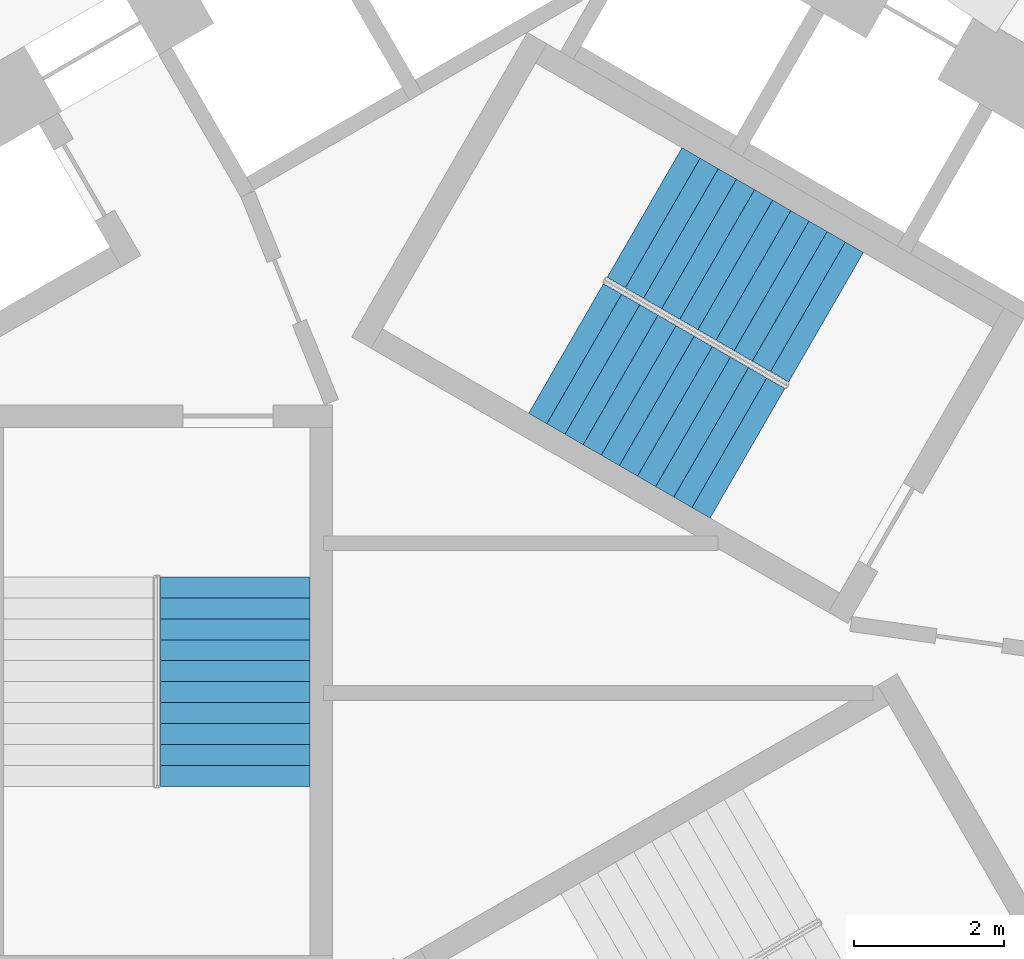
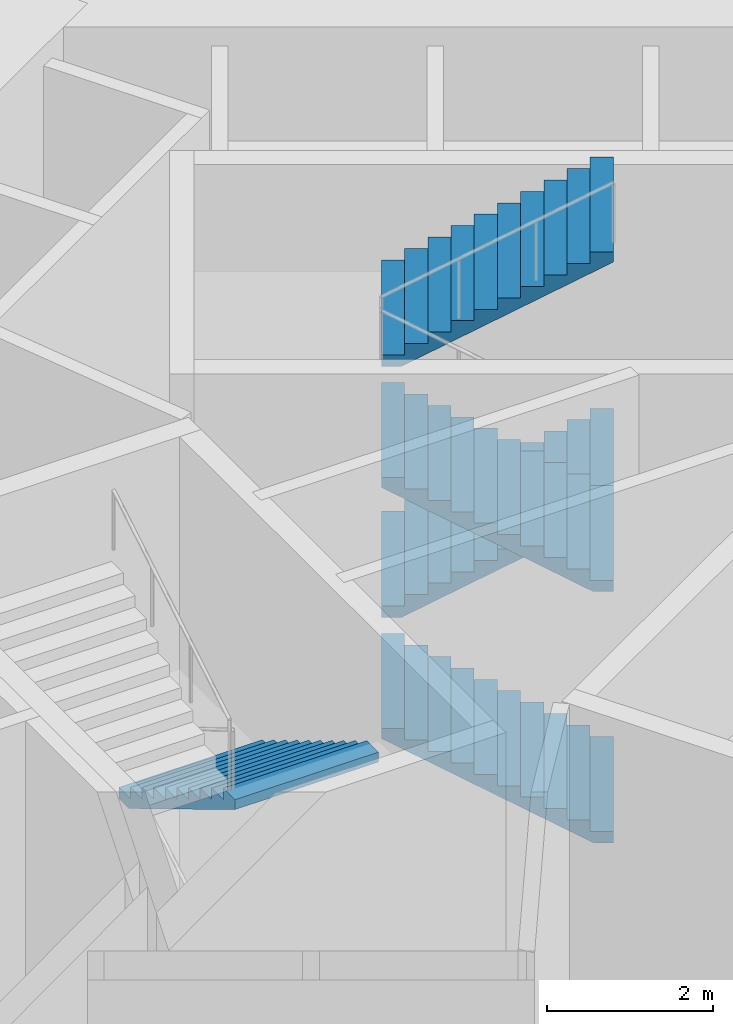
# One storey, part 14 of 19: 5 stair flights, 2 elements without a shape of their own.
"""IFC4 building model written with IfcOpenShell, lengths in metres."""

from ifc_helpers import new_model, si_unit, direction, frame, origin, place, context, subcontext, project, spatial, triangles, source, transform, mapped, material, type_object, element, aggregate, save


model = new_model("IFC4")

# Units and contexts
model_context = context("Model", 3, precision=1e-05, world=origin(), true_north=direction((0.0, 1.0)))
body_context = subcontext(model_context, "Body", "Model", "MODEL_VIEW")
ifc_project = project(units=[si_unit("LENGTHUNIT", "METRE"), si_unit("AREAUNIT", "SQUARE_METRE"), si_unit("VOLUMEUNIT", "CUBIC_METRE"), si_unit("PLANEANGLEUNIT", "RADIAN"), si_unit("MASSUNIT", "GRAM", prefix="KILO")], contexts=[model_context])

# Site, building, storey
site_placement = place(None, origin())
site = spatial("IfcSite", under=ifc_project, at=site_placement, CompositionType="ELEMENT")
building_placement = place(site_placement, origin())
building = spatial("IfcBuilding", under=site, at=building_placement, Name="Vanh Sen Convention Tower", CompositionType="ELEMENT")
storey_placement = place(building_placement, frame((0.0, 0.0, 139.199951171875)))
storey = spatial("IfcBuildingStorey", under=building, at=storey_placement, Name="L34", CompositionType="ELEMENT", Elevation=139.199951171875)

# Stair, stair flights
ifc_material_1 = material(Name="Concrete C50/60", Category="concrete")
stair_type_1 = type_object("IfcStairType", Name="Exit stair ST1 44 risers at 168.2", PredefinedType="HALF_TURN_STAIR", material=ifc_material_1)
stair_1_placement = place(storey_placement, origin())
stair_1 = element("IfcStair", 1, at=stair_1_placement, inside=storey, type_object=stair_type_1, Name="Exit stair ST1 L34", PredefinedType="HALF_TURN_STAIR")
ifc_material_2 = material(Name="Concrete C40/50", Category="concrete")
stair_flight_type = type_object("IfcStairFlightType", Name="Stair flight 2000", PredefinedType="STRAIGHT", material=ifc_material_2)
shared_shape = source(origin(), body_context, "Body", "Tessellation", [
    triangles([(0.24267578125, 1.0, 0.0), (0.0, 1.0, 0.0), (0.0, 1.0, 0.168212890625), (0.280029296875, 1.0, 0.168212890625), (0.280029296875, 1.0, 0.33642578125), (0.56005859375, 1.0, 0.33642578125), (0.56005859375, 1.0, 0.504638671875), (0.840087890625, 1.0, 0.504638671875), (0.840087890625, 1.0, 0.672607421875), (1.1201171875, 1.0, 0.672607421875), (1.1201171875, 1.0, 0.8408203125), (1.39990234375, 1.0, 0.8408203125), (1.39990234375, 1.0, 1.009033203125), (1.679931640625, 1.0, 1.009033203125), (1.679931640625, 1.0, 1.17724609375), (1.9599609375, 1.0, 1.17724609375), (1.9599609375, 1.0, 1.345458984375), (2.239990234375, 1.0, 1.345458984375), (2.239990234375, 1.0, 1.513671875), (2.52001953125, 1.0, 1.513671875), (2.52001953125, 1.0, 1.681884765625), (2.800048828125, 1.0, 1.681884765625), (2.800048828125, 1.0, 1.535888671875), (0.24267578125, -1.0, 0.0), (0.0, -1.0, 0.0), (0.0, -1.0, 0.168212890625), (0.280029296875, -1.0, 0.168212890625), (0.280029296875, -1.0, 0.33642578125), (0.56005859375, -1.0, 0.33642578125), (0.56005859375, -1.0, 0.504638671875), (0.840087890625, -1.0, 0.504638671875), (0.840087890625, -1.0, 0.672607421875), (1.1201171875, -1.0, 0.672607421875), (1.1201171875, -1.0, 0.8408203125), (1.39990234375, -1.0, 0.8408203125), (1.39990234375, -1.0, 1.009033203125), (1.679931640625, -1.0, 1.009033203125), (1.679931640625, -1.0, 1.17724609375), (1.9599609375, -1.0, 1.17724609375), (1.9599609375, -1.0, 1.345458984375), (2.239990234375, -1.0, 1.345458984375), (2.239990234375, -1.0, 1.513671875), (2.52001953125, -1.0, 1.513671875), (2.52001953125, -1.0, 1.681884765625), (2.800048828125, -1.0, 1.681884765625), (2.800048828125, -1.0, 1.535888671875), (0.0, 0.0400390625, 0.0), (0.0, 0.0390625, 0.0), (0.0, 0.0380859375, 0.0), (0.0, 0.037109375, 0.0), (0.0, 0.035888671875, 0.0), (0.0, 0.034912109375, 0.0), (0.0, 0.033935546875, 0.0), (0.0, 0.032958984375, 0.0), (0.0, 0.031982421875, 0.0), (0.0, 0.031005859375, 0.0), (0.0, 0.030029296875, 0.0), (0.0, 0.029052734375, 0.0), (0.0, 0.028076171875, 0.0), (0.0, 0.027099609375, 0.0), (0.0, 0.02587890625, 0.0), (0.0, 0.02490234375, 0.0), (0.0, 0.02392578125, 0.0), (0.0, 0.02294921875, 0.0), (0.0, 0.02197265625, 0.0), (0.0, 0.02099609375, 0.0), (0.0, 0.02001953125, 0.0), (0.0, 0.01904296875, 0.0), (0.0, 0.01806640625, 0.0), (0.0, 0.01708984375, 0.0), (0.0, 0.01611328125, 0.0), (0.0, 0.014892578125, 0.0), (0.0, 0.013916015625, 0.0), (0.0, 0.012939453125, 0.0), (0.0, 0.011962890625, 0.0), (0.0, 0.010986328125, 0.0), (0.0, 0.010009765625, 0.0), (0.0, 0.009033203125, 0.0), (0.0, 0.008056640625, 0.0), (0.0, 0.007080078125, 0.0), (0.0, 0.006103515625, 0.0), (0.0, 0.0048828125, 0.0), (0.0, 0.00390625, 0.0), (0.0, 0.0029296875, 0.0), (0.0, 0.001953125, 0.0), (0.0, 0.0009765625, 0.0), (0.0, 0.0, 0.0), (0.0, -0.0009765625, 0.0), (0.0, -0.001953125, 0.0), (0.0, -0.0029296875, 0.0), (0.0, -0.00390625, 0.0), (0.0, -0.0048828125, 0.0), (0.0, -0.006103515625, 0.0), (0.0, -0.007080078125, 0.0), (0.0, -0.008056640625, 0.0), (0.0, -0.009033203125, 0.0), (0.0, -0.010009765625, 0.0), (0.0, -0.010986328125, 0.0), (0.0, -0.011962890625, 0.0), (0.0, -0.012939453125, 0.0), (0.0, -0.013916015625, 0.0), (0.0, -0.014892578125, 0.0), (0.0, -0.01611328125, 0.0), (0.0, -0.01708984375, 0.0), (0.0, -0.01806640625, 0.0), (0.0, -0.01904296875, 0.0), (0.0, -0.02001953125, 0.0), (0.0, -0.02099609375, 0.0), (0.0, -0.02197265625, 0.0), (0.0, -0.02294921875, 0.0), (0.0, -0.02392578125, 0.0), (0.0, -0.02490234375, 0.0), (0.0, -0.02587890625, 0.0), (0.0, -0.027099609375, 0.0), (0.0, -0.028076171875, 0.0), (0.0, -0.029052734375, 0.0), (0.0, -0.030029296875, 0.0), (0.0, -0.031005859375, 0.0), (0.0, -0.031982421875, 0.0), (0.0, -0.032958984375, 0.0), (0.0, -0.033935546875, 0.0), (0.0, -0.034912109375, 0.0), (0.0, -0.035888671875, 0.0), (0.0, -0.037109375, 0.0), (0.0, -0.0380859375, 0.0), (0.0, -0.0390625, 0.0), (0.0, -0.0400390625, 0.0), (0.0, 0.0400390625, 0.168212890625), (0.0, 0.0390625, 0.168212890625), (0.0, 0.0380859375, 0.168212890625), (0.0, 0.037109375, 0.168212890625), (0.0, 0.035888671875, 0.168212890625), (0.0, 0.034912109375, 0.168212890625), (0.0, 0.033935546875, 0.168212890625), (0.0, 0.032958984375, 0.168212890625), (0.0, 0.031982421875, 0.168212890625), (0.0, 0.031005859375, 0.168212890625), (0.0, 0.030029296875, 0.168212890625), (0.0, 0.029052734375, 0.168212890625), (0.0, 0.028076171875, 0.168212890625), (0.0, 0.027099609375, 0.168212890625), (0.0, 0.02587890625, 0.168212890625), (0.0, 0.02490234375, 0.168212890625), (0.0, 0.02392578125, 0.168212890625), (0.0, 0.02294921875, 0.168212890625), (0.0, 0.02197265625, 0.168212890625), (0.0, 0.02099609375, 0.168212890625), (0.0, 0.02001953125, 0.168212890625), (0.0, 0.01904296875, 0.168212890625), (0.0, 0.01806640625, 0.168212890625), (0.0, 0.01708984375, 0.168212890625), (0.0, 0.01611328125, 0.168212890625), (0.0, 0.014892578125, 0.168212890625), (0.0, 0.013916015625, 0.168212890625), (0.0, 0.012939453125, 0.168212890625), (0.0, 0.011962890625, 0.168212890625), (0.0, 0.010986328125, 0.168212890625), (0.0, 0.010009765625, 0.168212890625), (0.0, 0.009033203125, 0.168212890625), (0.0, 0.008056640625, 0.168212890625), (0.0, 0.007080078125, 0.168212890625), (0.0, 0.006103515625, 0.168212890625), (0.0, 0.0048828125, 0.168212890625), (0.0, 0.00390625, 0.168212890625), (0.0, 0.0029296875, 0.168212890625), (0.0, 0.001953125, 0.168212890625), (0.0, 0.0009765625, 0.168212890625), (0.0, 0.0, 0.168212890625), (0.0, -0.0009765625, 0.168212890625), (0.0, -0.001953125, 0.168212890625), (0.0, -0.0029296875, 0.168212890625), (0.0, -0.00390625, 0.168212890625), (0.0, -0.0048828125, 0.168212890625), (0.0, -0.006103515625, 0.168212890625), (0.0, -0.007080078125, 0.168212890625), (0.0, -0.008056640625, 0.168212890625), (0.0, -0.009033203125, 0.168212890625), (0.0, -0.010009765625, 0.168212890625), (0.0, -0.010986328125, 0.168212890625), (0.0, -0.011962890625, 0.168212890625), (0.0, -0.012939453125, 0.168212890625), (0.0, -0.013916015625, 0.168212890625), (0.0, -0.014892578125, 0.168212890625), (0.0, -0.01611328125, 0.168212890625), (0.0, -0.01708984375, 0.168212890625), (0.0, -0.01806640625, 0.168212890625), (0.0, -0.01904296875, 0.168212890625), (0.0, -0.02001953125, 0.168212890625), (0.0, -0.02099609375, 0.168212890625), (0.0, -0.02197265625, 0.168212890625), (0.0, -0.02294921875, 0.168212890625), (0.0, -0.02392578125, 0.168212890625), (0.0, -0.02490234375, 0.168212890625), (0.0, -0.02587890625, 0.168212890625), (0.0, -0.027099609375, 0.168212890625), (0.0, -0.028076171875, 0.168212890625), (0.0, -0.029052734375, 0.168212890625), (0.0, -0.030029296875, 0.168212890625), (0.0, -0.031005859375, 0.168212890625), (0.0, -0.031982421875, 0.168212890625), (0.0, -0.032958984375, 0.168212890625), (0.0, -0.033935546875, 0.168212890625), (0.0, -0.034912109375, 0.168212890625), (0.0, -0.035888671875, 0.168212890625), (0.0, -0.037109375, 0.168212890625), (0.0, -0.0380859375, 0.168212890625), (0.0, -0.0390625, 0.168212890625), (0.0, -0.0400390625, 0.168212890625), (0.280029296875, 0.0, 0.168212890625), (0.280029296875, 0.0, 0.33642578125), (0.56005859375, 0.0, 0.33642578125), (0.56005859375, 0.0, 0.504638671875), (0.840087890625, 0.0, 0.504638671875), (0.840087890625, 0.0, 0.672607421875), (1.1201171875, 0.0, 0.672607421875), (1.1201171875, 0.0, 0.8408203125), (1.39990234375, 0.0, 0.8408203125), (1.39990234375, 0.0, 1.009033203125), (1.679931640625, 0.0, 1.009033203125), (1.679931640625, 0.0, 1.17724609375), (1.9599609375, 0.0, 1.17724609375), (1.9599609375, 0.0, 1.345458984375), (2.239990234375, 0.0, 1.345458984375), (2.239990234375, 0.0, 1.513671875), (2.52001953125, 0.0, 1.513671875), (2.52001953125, 0.0, 1.681884765625), (2.800048828125, 0.0400390625, 1.681884765625), (2.800048828125, 0.0390625, 1.681884765625), (2.800048828125, 0.0380859375, 1.681884765625), (2.800048828125, 0.037109375, 1.681884765625), (2.800048828125, 0.035888671875, 1.681884765625), (2.800048828125, 0.034912109375, 1.681884765625), (2.800048828125, 0.033935546875, 1.681884765625), (2.800048828125, 0.032958984375, 1.681884765625), (2.800048828125, 0.031982421875, 1.681884765625), (2.800048828125, 0.031005859375, 1.681884765625), (2.800048828125, 0.030029296875, 1.681884765625), (2.800048828125, 0.029052734375, 1.681884765625), (2.800048828125, 0.028076171875, 1.681884765625), (2.800048828125, 0.027099609375, 1.681884765625), (2.800048828125, 0.02587890625, 1.681884765625), (2.800048828125, 0.02490234375, 1.681884765625), (2.800048828125, 0.02392578125, 1.681884765625), (2.800048828125, 0.02294921875, 1.681884765625), (2.800048828125, 0.02197265625, 1.681884765625), (2.800048828125, 0.02099609375, 1.681884765625), (2.800048828125, 0.02001953125, 1.681884765625), (2.800048828125, 0.01904296875, 1.681884765625), (2.800048828125, 0.01806640625, 1.681884765625), (2.800048828125, 0.01708984375, 1.681884765625), (2.800048828125, 0.01611328125, 1.681884765625), (2.800048828125, 0.014892578125, 1.681884765625), (2.800048828125, 0.013916015625, 1.681884765625), (2.800048828125, 0.012939453125, 1.681884765625), (2.800048828125, 0.011962890625, 1.681884765625), (2.800048828125, 0.010986328125, 1.681884765625), (2.800048828125, 0.010009765625, 1.681884765625), (2.800048828125, 0.009033203125, 1.681884765625), (2.800048828125, 0.008056640625, 1.681884765625), (2.800048828125, 0.007080078125, 1.681884765625), (2.800048828125, 0.006103515625, 1.681884765625), (2.800048828125, 0.0048828125, 1.681884765625), (2.800048828125, 0.00390625, 1.681884765625), (2.800048828125, 0.0029296875, 1.681884765625), (2.800048828125, 0.001953125, 1.681884765625), (2.800048828125, 0.0009765625, 1.681884765625), (2.800048828125, 0.0, 1.681884765625), (2.800048828125, -0.0009765625, 1.681884765625), (2.800048828125, -0.001953125, 1.681884765625), (2.800048828125, -0.0029296875, 1.681884765625), (2.800048828125, -0.00390625, 1.681884765625), (2.800048828125, -0.0048828125, 1.681884765625), (2.800048828125, -0.006103515625, 1.681884765625), (2.800048828125, -0.007080078125, 1.681884765625), (2.800048828125, -0.008056640625, 1.681884765625), (2.800048828125, -0.009033203125, 1.681884765625), (2.800048828125, -0.010009765625, 1.681884765625), (2.800048828125, -0.010986328125, 1.681884765625), (2.800048828125, -0.011962890625, 1.681884765625), (2.800048828125, -0.012939453125, 1.681884765625), (2.800048828125, -0.013916015625, 1.681884765625), (2.800048828125, -0.014892578125, 1.681884765625), (2.800048828125, -0.01611328125, 1.681884765625), (2.800048828125, -0.01708984375, 1.681884765625), (2.800048828125, -0.01806640625, 1.681884765625), (2.800048828125, -0.01904296875, 1.681884765625), (2.800048828125, -0.02001953125, 1.681884765625), (2.800048828125, -0.02099609375, 1.681884765625), (2.800048828125, -0.02197265625, 1.681884765625), (2.800048828125, -0.02294921875, 1.681884765625), (2.800048828125, -0.02392578125, 1.681884765625), (2.800048828125, -0.02490234375, 1.681884765625), (2.800048828125, -0.02587890625, 1.681884765625), (2.800048828125, -0.027099609375, 1.681884765625), (2.800048828125, -0.028076171875, 1.681884765625), (2.800048828125, -0.029052734375, 1.681884765625), (2.800048828125, -0.030029296875, 1.681884765625), (2.800048828125, -0.031005859375, 1.681884765625), (2.800048828125, -0.031982421875, 1.681884765625), (2.800048828125, -0.032958984375, 1.681884765625), (2.800048828125, -0.033935546875, 1.681884765625), (2.800048828125, -0.034912109375, 1.681884765625), (2.800048828125, -0.035888671875, 1.681884765625), (2.800048828125, -0.037109375, 1.681884765625), (2.800048828125, -0.0380859375, 1.681884765625), (2.800048828125, -0.0390625, 1.681884765625), (2.800048828125, -0.0400390625, 1.681884765625), (2.800048828125, 0.0400390625, 1.535888671875), (2.800048828125, 0.0390625, 1.535888671875), (2.800048828125, 0.0380859375, 1.535888671875), (2.800048828125, 0.037109375, 1.535888671875), (2.800048828125, 0.035888671875, 1.535888671875), (2.800048828125, 0.034912109375, 1.535888671875), (2.800048828125, 0.033935546875, 1.535888671875), (2.800048828125, 0.032958984375, 1.535888671875), (2.800048828125, 0.031982421875, 1.535888671875), (2.800048828125, 0.031005859375, 1.535888671875), (2.800048828125, 0.030029296875, 1.535888671875), (2.800048828125, 0.029052734375, 1.535888671875), (2.800048828125, 0.028076171875, 1.535888671875), (2.800048828125, 0.027099609375, 1.535888671875), (2.800048828125, 0.02587890625, 1.535888671875), (2.800048828125, 0.02490234375, 1.535888671875), (2.800048828125, 0.02392578125, 1.535888671875), (2.800048828125, 0.02294921875, 1.535888671875), (2.800048828125, 0.02197265625, 1.535888671875), (2.800048828125, 0.02099609375, 1.535888671875), (2.800048828125, 0.02001953125, 1.535888671875), (2.800048828125, 0.01904296875, 1.535888671875), (2.800048828125, 0.01806640625, 1.535888671875), (2.800048828125, 0.01708984375, 1.535888671875), (2.800048828125, 0.01611328125, 1.535888671875), (2.800048828125, 0.014892578125, 1.535888671875), (2.800048828125, 0.013916015625, 1.535888671875), (2.800048828125, 0.012939453125, 1.535888671875), (2.800048828125, 0.011962890625, 1.535888671875), (2.800048828125, 0.010986328125, 1.535888671875), (2.800048828125, 0.010009765625, 1.535888671875), (2.800048828125, 0.009033203125, 1.535888671875), (2.800048828125, 0.008056640625, 1.535888671875), (2.800048828125, 0.007080078125, 1.535888671875), (2.800048828125, 0.006103515625, 1.535888671875), (2.800048828125, 0.0048828125, 1.535888671875), (2.800048828125, 0.00390625, 1.535888671875), (2.800048828125, 0.0029296875, 1.535888671875), (2.800048828125, 0.001953125, 1.535888671875), (2.800048828125, 0.0009765625, 1.535888671875), (2.800048828125, 0.0, 1.535888671875), (2.800048828125, -0.0009765625, 1.535888671875), (2.800048828125, -0.001953125, 1.535888671875), (2.800048828125, -0.0029296875, 1.535888671875), (2.800048828125, -0.00390625, 1.535888671875), (2.800048828125, -0.0048828125, 1.535888671875), (2.800048828125, -0.006103515625, 1.535888671875), (2.800048828125, -0.007080078125, 1.535888671875), (2.800048828125, -0.008056640625, 1.535888671875), (2.800048828125, -0.009033203125, 1.535888671875), (2.800048828125, -0.010009765625, 1.535888671875), (2.800048828125, -0.010986328125, 1.535888671875), (2.800048828125, -0.011962890625, 1.535888671875), (2.800048828125, -0.012939453125, 1.535888671875), (2.800048828125, -0.013916015625, 1.535888671875), (2.800048828125, -0.014892578125, 1.535888671875), (2.800048828125, -0.01611328125, 1.535888671875), (2.800048828125, -0.01708984375, 1.535888671875), (2.800048828125, -0.01806640625, 1.535888671875), (2.800048828125, -0.01904296875, 1.535888671875), (2.800048828125, -0.02001953125, 1.535888671875), (2.800048828125, -0.02099609375, 1.535888671875), (2.800048828125, -0.02197265625, 1.535888671875), (2.800048828125, -0.02294921875, 1.535888671875), (2.800048828125, -0.02392578125, 1.535888671875), (2.800048828125, -0.02490234375, 1.535888671875), (2.800048828125, -0.02587890625, 1.535888671875), (2.800048828125, -0.027099609375, 1.535888671875), (2.800048828125, -0.028076171875, 1.535888671875), (2.800048828125, -0.029052734375, 1.535888671875), (2.800048828125, -0.030029296875, 1.535888671875), (2.800048828125, -0.031005859375, 1.535888671875), (2.800048828125, -0.031982421875, 1.535888671875), (2.800048828125, -0.032958984375, 1.535888671875), (2.800048828125, -0.033935546875, 1.535888671875), (2.800048828125, -0.034912109375, 1.535888671875), (2.800048828125, -0.035888671875, 1.535888671875), (2.800048828125, -0.037109375, 1.535888671875), (2.800048828125, -0.0380859375, 1.535888671875), (2.800048828125, -0.0390625, 1.535888671875), (2.800048828125, -0.0400390625, 1.535888671875), (0.24267578125, 0.0, 0.0)], [[1, 2, 3], [1, 3, 4], [4, 5, 6], [1, 4, 6], [6, 7, 8], [1, 6, 8], [8, 9, 10], [1, 8, 10], [10, 11, 12], [1, 10, 12], [12, 13, 14], [1, 12, 14], [14, 15, 16], [1, 14, 16], [16, 17, 18], [1, 16, 18], [18, 19, 20], [1, 18, 20], [20, 21, 22], [1, 20, 22], [22, 23, 1], [24, 26, 25], [24, 27, 26], [27, 29, 28], [24, 29, 27], [29, 31, 30], [24, 31, 29], [31, 33, 32], [24, 33, 31], [33, 35, 34], [24, 35, 33], [35, 37, 36], [24, 37, 35], [37, 39, 38], [24, 39, 37], [39, 41, 40], [24, 41, 39], [41, 43, 42], [24, 43, 41], [43, 45, 44], [24, 45, 43], [45, 24, 46], [2, 128, 3], [2, 47, 128], [47, 129, 128], [47, 48, 129], [48, 130, 129], [48, 49, 130], [49, 131, 130], [49, 50, 131], [50, 132, 131], [50, 51, 132], [51, 133, 132], [51, 52, 133], [52, 134, 133], [52, 53, 134], [53, 135, 134], [53, 54, 135], [54, 136, 135], [54, 55, 136], [55, 137, 136], [55, 56, 137], [56, 138, 137], [56, 57, 138], [57, 139, 138], [57, 58, 139], [58, 140, 139], [58, 59, 140], [59, 141, 140], [59, 60, 141], [60, 142, 141], [60, 61, 142], [61, 143, 142], [61, 62, 143], [62, 144, 143], [62, 63, 144], [63, 145, 144], [63, 64, 145], [64, 146, 145], [64, 65, 146], [65, 147, 146], [65, 66, 147], [66, 148, 147], [66, 67, 148], [67, 149, 148], [67, 68, 149], [68, 150, 149], [68, 69, 150], [69, 151, 150], [69, 70, 151], [70, 152, 151], [70, 71, 152], [71, 153, 152], [71, 72, 153], [72, 154, 153], [72, 73, 154], [73, 155, 154], [73, 74, 155], [74, 156, 155], [74, 75, 156], [75, 157, 156], [75, 76, 157], [76, 158, 157], [76, 77, 158], [77, 159, 158], [77, 78, 159], [78, 160, 159], [78, 79, 160], [79, 161, 160], [79, 80, 161], [80, 162, 161], [80, 81, 162], [81, 163, 162], [81, 82, 163], [82, 164, 163], [82, 83, 164], [83, 165, 164], [83, 84, 165], [84, 166, 165], [84, 85, 166], [85, 167, 166], [85, 86, 167], [86, 168, 167], [86, 87, 168], [87, 88, 168], [168, 88, 169], [88, 89, 169], [169, 89, 170], [89, 90, 170], [170, 90, 171], [90, 91, 171], [171, 91, 172], [91, 92, 172], [172, 92, 173], [92, 93, 173], [173, 93, 174], [93, 94, 174], [174, 94, 175], [94, 95, 175], [175, 95, 176], [95, 96, 176], [176, 96, 177], [96, 97, 177], [177, 97, 178], [97, 98, 178], [178, 98, 179], [98, 99, 179], [179, 99, 180], [99, 100, 180], [180, 100, 181], [100, 101, 181], [181, 101, 182], [101, 102, 182], [182, 102, 183], [102, 103, 183], [183, 103, 184], [103, 104, 184], [184, 104, 185], [104, 105, 185], [185, 105, 186], [105, 106, 186], [186, 106, 187], [106, 107, 187], [187, 107, 188], [107, 108, 188], [188, 108, 189], [108, 109, 189], [189, 109, 190], [109, 110, 190], [190, 110, 191], [110, 111, 191], [191, 111, 192], [111, 112, 192], [192, 112, 193], [112, 113, 193], [193, 113, 194], [113, 114, 194], [194, 114, 195], [114, 115, 195], [195, 115, 196], [115, 116, 196], [196, 116, 197], [116, 117, 197], [197, 117, 198], [117, 118, 198], [198, 118, 199], [118, 119, 199], [199, 119, 200], [119, 120, 200], [200, 120, 201], [120, 121, 201], [201, 121, 202], [121, 122, 202], [202, 122, 203], [122, 123, 203], [203, 123, 204], [123, 124, 204], [204, 124, 205], [124, 125, 205], [205, 125, 206], [125, 126, 206], [206, 126, 207], [126, 127, 207], [207, 127, 208], [127, 25, 208], [208, 25, 26], [4, 3, 128], [4, 128, 129], [4, 129, 130], [4, 130, 131], [4, 131, 132], [4, 132, 133], [4, 133, 134], [4, 134, 135], [4, 135, 136], [4, 136, 137], [4, 137, 138], [4, 138, 139], [4, 139, 140], [4, 140, 141], [4, 141, 142], [4, 142, 143], [4, 143, 144], [4, 144, 145], [4, 145, 146], [4, 146, 147], [4, 147, 148], [4, 148, 149], [4, 149, 150], [4, 150, 151], [4, 151, 152], [4, 152, 153], [4, 153, 154], [4, 154, 155], [4, 155, 156], [4, 156, 157], [4, 157, 158], [4, 158, 159], [4, 159, 160], [4, 160, 161], [4, 161, 162], [4, 162, 163], [4, 163, 164], [4, 164, 165], [4, 165, 166], [4, 166, 167], [4, 167, 168], [27, 168, 169], [27, 169, 170], [27, 170, 171], [27, 171, 172], [27, 172, 173], [27, 173, 174], [27, 174, 175], [27, 175, 176], [27, 176, 177], [27, 177, 178], [27, 178, 179], [27, 179, 180], [27, 180, 181], [27, 181, 182], [27, 182, 183], [27, 183, 184], [27, 184, 185], [27, 185, 186], [27, 186, 187], [27, 187, 188], [27, 188, 189], [27, 189, 190], [27, 190, 191], [27, 191, 192], [27, 192, 193], [27, 193, 194], [27, 194, 195], [27, 195, 196], [27, 196, 197], [27, 197, 198], [27, 198, 199], [27, 199, 200], [27, 200, 201], [27, 201, 202], [27, 202, 203], [27, 203, 204], [27, 204, 205], [27, 205, 206], [27, 206, 207], [27, 207, 208], [27, 208, 26], [4, 168, 209], [27, 209, 168], [4, 210, 5], [4, 209, 210], [209, 27, 210], [210, 27, 28], [5, 211, 6], [5, 210, 211], [210, 28, 211], [211, 28, 29], [6, 212, 7], [6, 211, 212], [211, 29, 212], [212, 29, 30], [7, 213, 8], [7, 212, 213], [212, 30, 213], [213, 30, 31], [8, 214, 9], [8, 213, 214], [213, 31, 214], [214, 31, 32], [9, 215, 10], [9, 214, 215], [214, 32, 215], [215, 32, 33], [10, 216, 11], [10, 215, 216], [215, 33, 216], [216, 33, 34], [11, 217, 12], [11, 216, 217], [216, 34, 217], [217, 34, 35], [12, 218, 13], [12, 217, 218], [217, 35, 218], [218, 35, 36], [13, 219, 14], [13, 218, 219], [218, 36, 219], [219, 36, 37], [14, 220, 15], [14, 219, 220], [219, 37, 220], [220, 37, 38], [15, 221, 16], [15, 220, 221], [220, 38, 221], [221, 38, 39], [16, 222, 17], [16, 221, 222], [221, 39, 222], [222, 39, 40], [17, 223, 18], [17, 222, 223], [222, 40, 223], [223, 40, 41], [18, 224, 19], [18, 223, 224], [223, 41, 224], [224, 41, 42], [19, 225, 20], [19, 224, 225], [224, 42, 225], [225, 42, 43], [20, 226, 21], [20, 225, 226], [225, 43, 226], [226, 43, 44], [21, 227, 22], [21, 228, 227], [21, 229, 228], [21, 230, 229], [21, 231, 230], [21, 232, 231], [21, 233, 232], [21, 234, 233], [21, 235, 234], [21, 236, 235], [21, 237, 236], [21, 238, 237], [21, 239, 238], [21, 240, 239], [21, 241, 240], [21, 242, 241], [21, 243, 242], [21, 244, 243], [21, 245, 244], [21, 246, 245], [21, 247, 246], [21, 248, 247], [21, 249, 248], [21, 250, 249], [21, 251, 250], [21, 252, 251], [21, 253, 252], [21, 254, 253], [21, 255, 254], [21, 256, 255], [21, 257, 256], [21, 258, 257], [21, 259, 258], [21, 260, 259], [21, 261, 260], [21, 262, 261], [21, 263, 262], [21, 264, 263], [21, 265, 264], [21, 266, 265], [21, 267, 266], [44, 268, 267], [44, 269, 268], [44, 270, 269], [44, 271, 270], [44, 272, 271], [44, 273, 272], [44, 274, 273], [44, 275, 274], [44, 276, 275], [44, 277, 276], [44, 278, 277], [44, 279, 278], [44, 280, 279], [44, 281, 280], [44, 282, 281], [44, 283, 282], [44, 284, 283], [44, 285, 284], [44, 286, 285], [44, 287, 286], [44, 288, 287], [44, 289, 288], [44, 290, 289], [44, 291, 290], [44, 292, 291], [44, 293, 292], [44, 294, 293], [44, 295, 294], [44, 296, 295], [44, 297, 296], [44, 298, 297], [44, 299, 298], [44, 300, 299], [44, 301, 300], [44, 302, 301], [44, 303, 302], [44, 304, 303], [44, 305, 304], [44, 306, 305], [44, 307, 306], [44, 45, 307], [21, 226, 267], [44, 267, 226], [22, 308, 23], [22, 227, 308], [227, 309, 308], [227, 228, 309], [228, 310, 309], [228, 229, 310], [229, 311, 310], [229, 230, 311], [230, 312, 311], [230, 231, 312], [231, 313, 312], [231, 232, 313], [232, 314, 313], [232, 233, 314], [233, 315, 314], [233, 234, 315], [234, 316, 315], [234, 235, 316], [235, 317, 316], [235, 236, 317], [236, 318, 317], [236, 237, 318], [237, 319, 318], [237, 238, 319], [238, 320, 319], [238, 239, 320], [239, 321, 320], [239, 240, 321], [240, 322, 321], [240, 241, 322], [241, 323, 322], [241, 242, 323], [242, 324, 323], [242, 243, 324], [243, 325, 324], [243, 244, 325], [244, 326, 325], [244, 245, 326], [245, 327, 326], [245, 246, 327], [246, 328, 327], [246, 247, 328], [247, 329, 328], [247, 248, 329], [248, 330, 329], [248, 249, 330], [249, 331, 330], [249, 250, 331], [250, 332, 331], [250, 251, 332], [251, 333, 332], [251, 252, 333], [252, 334, 333], [252, 253, 334], [253, 335, 334], [253, 254, 335], [254, 336, 335], [254, 255, 336], [255, 337, 336], [255, 256, 337], [256, 338, 337], [256, 257, 338], [257, 339, 338], [257, 258, 339], [258, 340, 339], [258, 259, 340], [259, 341, 340], [259, 260, 341], [260, 342, 341], [260, 261, 342], [261, 343, 342], [261, 262, 343], [262, 344, 343], [262, 263, 344], [263, 345, 344], [263, 264, 345], [264, 346, 345], [264, 265, 346], [265, 347, 346], [265, 266, 347], [266, 348, 347], [266, 267, 348], [267, 268, 348], [348, 268, 349], [268, 269, 349], [349, 269, 350], [269, 270, 350], [350, 270, 351], [270, 271, 351], [351, 271, 352], [271, 272, 352], [352, 272, 353], [272, 273, 353], [353, 273, 354], [273, 274, 354], [354, 274, 355], [274, 275, 355], [355, 275, 356], [275, 276, 356], [356, 276, 357], [276, 277, 357], [357, 277, 358], [277, 278, 358], [358, 278, 359], [278, 279, 359], [359, 279, 360], [279, 280, 360], [360, 280, 361], [280, 281, 361], [361, 281, 362], [281, 282, 362], [362, 282, 363], [282, 283, 363], [363, 283, 364], [283, 284, 364], [364, 284, 365], [284, 285, 365], [365, 285, 366], [285, 286, 366], [366, 286, 367], [286, 287, 367], [367, 287, 368], [287, 288, 368], [368, 288, 369], [288, 289, 369], [369, 289, 370], [289, 290, 370], [370, 290, 371], [290, 291, 371], [371, 291, 372], [291, 292, 372], [372, 292, 373], [292, 293, 373], [373, 293, 374], [293, 294, 374], [374, 294, 375], [294, 295, 375], [375, 295, 376], [295, 296, 376], [376, 296, 377], [296, 297, 377], [377, 297, 378], [297, 298, 378], [378, 298, 379], [298, 299, 379], [379, 299, 380], [299, 300, 380], [380, 300, 381], [300, 301, 381], [381, 301, 382], [301, 302, 382], [382, 302, 383], [302, 303, 383], [383, 303, 384], [303, 304, 384], [384, 304, 385], [304, 305, 385], [385, 305, 386], [305, 306, 386], [386, 306, 387], [306, 307, 387], [387, 307, 388], [307, 45, 388], [388, 45, 46], [1, 23, 308], [1, 308, 309], [1, 309, 310], [1, 310, 311], [1, 311, 312], [1, 312, 313], [1, 313, 314], [1, 314, 315], [1, 315, 316], [1, 316, 317], [1, 317, 318], [1, 318, 319], [1, 319, 320], [1, 320, 321], [1, 321, 322], [1, 322, 323], [1, 323, 324], [1, 324, 325], [1, 325, 326], [1, 326, 327], [1, 327, 328], [1, 328, 329], [1, 329, 330], [1, 330, 331], [1, 331, 332], [1, 332, 333], [1, 333, 334], [1, 334, 335], [1, 335, 336], [1, 336, 337], [1, 337, 338], [1, 338, 339], [1, 339, 340], [1, 340, 341], [1, 341, 342], [1, 342, 343], [1, 343, 344], [1, 344, 345], [1, 345, 346], [1, 346, 347], [1, 347, 348], [24, 348, 349], [24, 349, 350], [24, 350, 351], [24, 351, 352], [24, 352, 353], [24, 353, 354], [24, 354, 355], [24, 355, 356], [24, 356, 357], [24, 357, 358], [24, 358, 359], [24, 359, 360], [24, 360, 361], [24, 361, 362], [24, 362, 363], [24, 363, 364], [24, 364, 365], [24, 365, 366], [24, 366, 367], [24, 367, 368], [24, 368, 369], [24, 369, 370], [24, 370, 371], [24, 371, 372], [24, 372, 373], [24, 373, 374], [24, 374, 375], [24, 375, 376], [24, 376, 377], [24, 377, 378], [24, 378, 379], [24, 379, 380], [24, 380, 381], [24, 381, 382], [24, 382, 383], [24, 383, 384], [24, 384, 385], [24, 385, 386], [24, 386, 387], [24, 387, 388], [24, 388, 46], [1, 348, 389], [24, 389, 348], [1, 47, 2], [1, 48, 47], [1, 49, 48], [1, 50, 49], [1, 51, 50], [1, 52, 51], [1, 53, 52], [1, 54, 53], [1, 55, 54], [1, 56, 55], [1, 57, 56], [1, 58, 57], [1, 59, 58], [1, 60, 59], [1, 61, 60], [1, 62, 61], [1, 63, 62], [1, 64, 63], [1, 65, 64], [1, 66, 65], [1, 67, 66], [1, 68, 67], [1, 69, 68], [1, 70, 69], [1, 71, 70], [1, 72, 71], [1, 73, 72], [1, 74, 73], [1, 75, 74], [1, 76, 75], [1, 77, 76], [1, 78, 77], [1, 79, 78], [1, 80, 79], [1, 81, 80], [1, 82, 81], [1, 83, 82], [1, 84, 83], [1, 85, 84], [1, 86, 85], [1, 87, 86], [24, 88, 87], [24, 89, 88], [24, 90, 89], [24, 91, 90], [24, 92, 91], [24, 93, 92], [24, 94, 93], [24, 95, 94], [24, 96, 95], [24, 97, 96], [24, 98, 97], [24, 99, 98], [24, 100, 99], [24, 101, 100], [24, 102, 101], [24, 103, 102], [24, 104, 103], [24, 105, 104], [24, 106, 105], [24, 107, 106], [24, 108, 107], [24, 109, 108], [24, 110, 109], [24, 111, 110], [24, 112, 111], [24, 113, 112], [24, 114, 113], [24, 115, 114], [24, 116, 115], [24, 117, 116], [24, 118, 117], [24, 119, 118], [24, 120, 119], [24, 121, 120], [24, 122, 121], [24, 123, 122], [24, 124, 123], [24, 125, 124], [24, 126, 125], [24, 127, 126], [24, 25, 127], [1, 389, 87], [24, 87, 389]], closed=True),
])
stair_flight_1_placement = place(storey_placement, frame((2.94580078125, 2.802490234375, 0.0), z_axis=(0.0, 0.0, 1.0), x_axis=(-0.866025403784, 0.5, 0.0)))
stair_flight_1 = element("IfcStairFlight", 2, at=stair_flight_1_placement, type_object=stair_flight_type, Name="ST1 flight 1", NumberOfRisers=11, NumberOfTreads=10, PredefinedType="STRAIGHT", RiserHeight=0.168181818, TreadLength=0.28, context=body_context, shape_type="MappedRepresentation", body=[
    mapped(shared_shape, transform((0.0, 0.0, 0.0))),
])
stair_flight_2_placement = place(storey_placement, frame((1.571044921875, 6.021240234375, 1.85009765625), z_axis=(0.0, 0.0, 1.0), x_axis=(0.866025403784, -0.5, 0.0)))
stair_flight_2 = element("IfcStairFlight", 3, at=stair_flight_2_placement, type_object=stair_flight_type, Name="ST1 flight 2", NumberOfRisers=11, NumberOfTreads=10, PredefinedType="STRAIGHT", RiserHeight=0.168181818, TreadLength=0.28, context=body_context, shape_type="MappedRepresentation", body=[
    mapped(shared_shape, transform((0.0, 0.0, 0.0))),
])
stair_flight_3_placement = place(storey_placement, frame((2.94580078125, 2.802490234375, 3.699951171875), z_axis=(0.0, 0.0, 1.0), x_axis=(-0.866025403784, 0.5, 0.0)))
stair_flight_3 = element("IfcStairFlight", 4, at=stair_flight_3_placement, type_object=stair_flight_type, Name="ST1 flight 3", NumberOfRisers=11, NumberOfTreads=10, PredefinedType="STRAIGHT", RiserHeight=0.168181818, TreadLength=0.28, context=body_context, shape_type="MappedRepresentation", body=[
    mapped(shared_shape, transform((0.0, 0.0, 0.0))),
])
stair_flight_4_placement = place(storey_placement, frame((1.571044921875, 6.021240234375, 5.550048828125), z_axis=(0.0, 0.0, 1.0), x_axis=(0.866025403784, -0.5, 0.0)))
stair_flight_4 = element("IfcStairFlight", 5, at=stair_flight_4_placement, type_object=stair_flight_type, Name="ST1 flight 4", NumberOfRisers=11, NumberOfTreads=10, PredefinedType="STRAIGHT", RiserHeight=0.168181818, TreadLength=0.28, context=body_context, shape_type="MappedRepresentation", body=[
    mapped(shared_shape, transform((0.0, 0.0, 0.0))),
])
aggregate(stair_1, [stair_flight_1, stair_flight_2, stair_flight_3, stair_flight_4])

# Stair, stair flight
stair_type_2 = type_object("IfcStairType", Name="Exit stair ST2 44 risers at 168.2", PredefinedType="HALF_TURN_STAIR", material=ifc_material_1)
stair_2_placement = place(storey_placement, origin())
stair_2 = element("IfcStair", 6, at=stair_2_placement, inside=storey, type_object=stair_type_2, Name="Exit stair ST2 L34", PredefinedType="HALF_TURN_STAIR")
stair_flight_5_placement = place(storey_placement, frame((-3.89990234375, 1.14990234375, 3.699951171875), z_axis=(0.0, 0.0, 1.0), x_axis=(0.0, -1.0, 0.0)))
stair_flight_5 = element("IfcStairFlight", 7, at=stair_flight_5_placement, type_object=stair_flight_type, Name="ST2 flight 3", NumberOfRisers=11, NumberOfTreads=10, PredefinedType="STRAIGHT", RiserHeight=0.168181818, TreadLength=0.28, context=body_context, shape_type="MappedRepresentation", body=[
    mapped(shared_shape, transform((0.0, 0.0, 0.0))),
])
aggregate(stair_2, [stair_flight_5])

save(model, "model.ifc")
